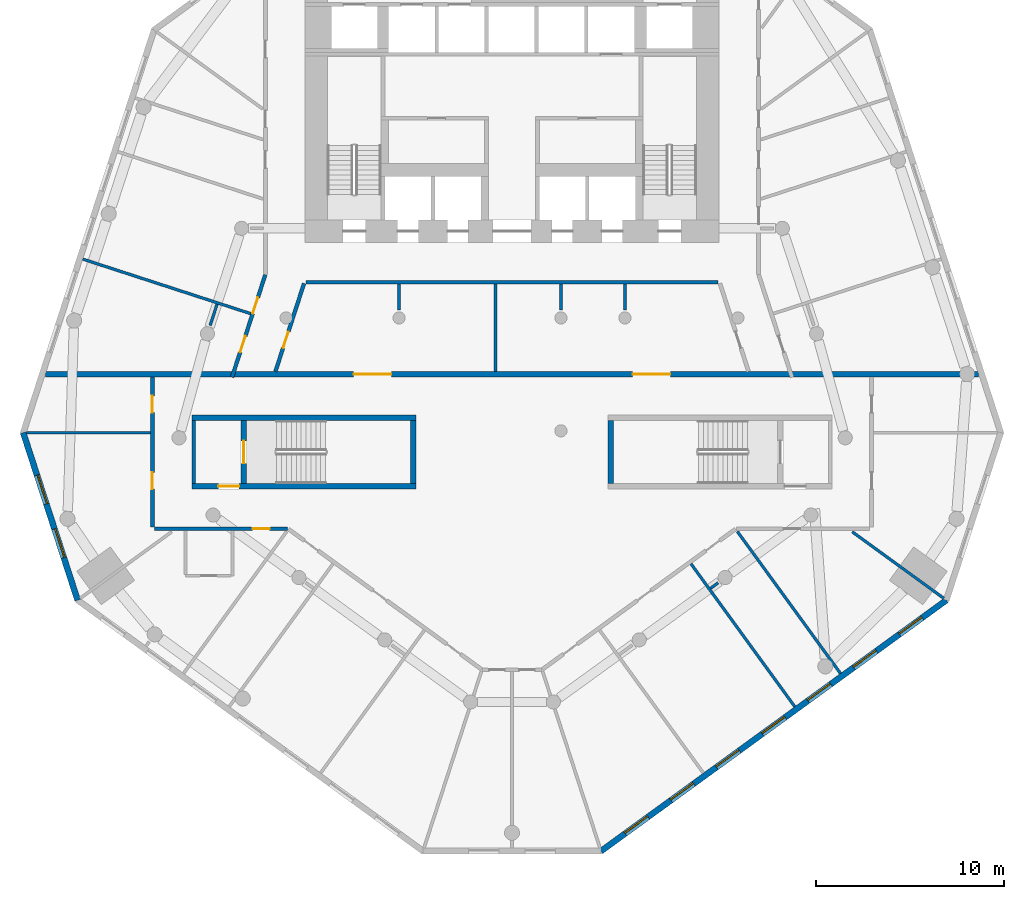
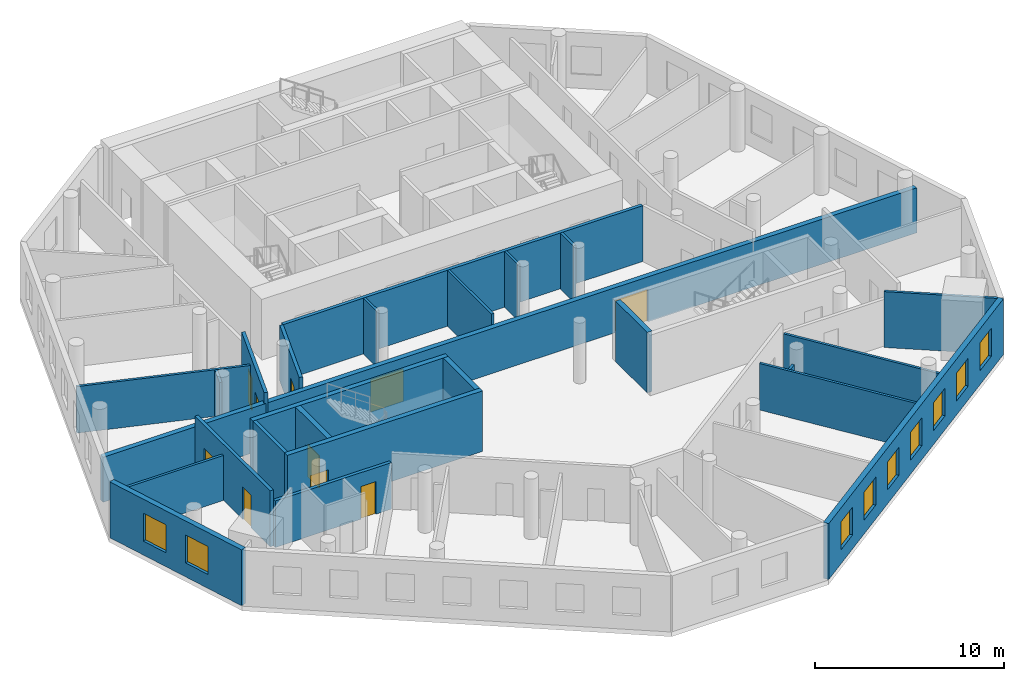
# One storey, part 3 of 9: 25 walls, 10 doors, 9 windows, 19 openings.
"""IFC4 building model written with IfcOpenShell, lengths in metres."""

from ifc_helpers import new_model, si_unit, direction, frame, frame_2d, origin, place, context, subcontext, project, spatial, rectangle, extrude, material, layer, layer_set, type_object, element, fill, save


model = new_model("IFC4")

# Units and contexts
model_context = context("Model", 3, precision=1e-05, world=origin(), true_north=direction((0.0, 1.0)))
body_context = subcontext(model_context, "Body", "Model", "MODEL_VIEW")
ifc_project = project(units=[si_unit("LENGTHUNIT", "METRE"), si_unit("AREAUNIT", "SQUARE_METRE"), si_unit("VOLUMEUNIT", "CUBIC_METRE"), si_unit("PLANEANGLEUNIT", "RADIAN"), si_unit("MASSUNIT", "GRAM", prefix="KILO")], contexts=[model_context])

# Site, building, storey
site_placement = place(None, origin())
site = spatial("IfcSite", under=ifc_project, at=site_placement, CompositionType="ELEMENT")
building_placement = place(site_placement, origin())
building = spatial("IfcBuilding", under=site, at=building_placement, Name="White Candle Pilgrim Tower", CompositionType="ELEMENT")
storey_placement = place(building_placement, frame((0.0, 0.0, 74.10009765625)))
storey = spatial("IfcBuildingStorey", under=building, at=storey_placement, Name="L15", CompositionType="ELEMENT", Elevation=74.10009765625)

# Wall
ifc_material_1 = material(Name="Concrete C70/85", Category="concrete")
ifc_layer_1 = layer(ifc_material_1, 0.199951171875)
ifc_layer_set_1 = layer_set([ifc_layer_1], Name="Core wall 200 mm Concrete C70/85")
wall_type_1 = type_object("IfcWallType", Name="Core wall 200 mm Concrete C70/85", PredefinedType="SHEAR", material=ifc_layer_set_1)
wall_1_placement = place(storey_placement, frame((53.10009765625, 58.199951171875, 0.0), z_axis=(0.0, 0.0, 1.0), x_axis=(0.0, 1.0, 0.0)))
element("IfcWall", 1, at=wall_1_placement, inside=storey, type_object=wall_type_1, Name="WL-L15-C03", PredefinedType="SHEAR", context=body_context, shape_type="SweptSolid", body=[
    extrude(rectangle(XDim=3.35009765625, YDim=0.199951171875, at=frame_2d((1.675048828125, 0.0))), origin(), (0.0, 0.0, 1.0), 3.89990234375),
])

# Wall, openings, doors
ifc_material_2 = material(Name="Gypsum board on steel studs", Category="steel")
ifc_layer_2 = layer(ifc_material_2, 0.199951171875)
ifc_layer_set_2 = layer_set([ifc_layer_2], Name="Corridor wall 200 mm EI 45")
wall_type_2 = type_object("IfcWallType", Name="Corridor wall 200 mm EI 45", PredefinedType="PARTITIONING", material=ifc_layer_set_2)
wall_2_placement = place(storey_placement, frame((55.128173828125, 63.85009765625, 0.0), z_axis=(0.0, 0.0, 1.0), x_axis=(0.309006902183, 0.951059795388, 0.0)))
wall_2 = element("IfcWall", 2, at=wall_2_placement, inside=storey, type_object=wall_type_2, Name="WL-L15-P002", PredefinedType="PARTITIONING", context=body_context, shape_type="SweptSolid", body=[
    extrude(rectangle(XDim=5.7177734375, YDim=0.199951171875, at=frame_2d((2.85888671875, 0.0))), origin(), (0.0, 0.0, 1.0), 3.599853515625),
])
opening_1_placement = place(wall_2_placement, frame((1.3984375, 0.0, 0.0)))
opening_1 = element("IfcOpeningElement", 3, at=opening_1_placement, cuts=wall_2, Name="Opening T04-117", PredefinedType="OPENING", context=body_context, shape_type="SweptSolid", body=[
    extrude(rectangle(XDim=0.89990234375, YDim=2.10009765625, at=frame_2d((0.449951171875, 1.050048828125))), frame((0.0, 0.10986328125, 0.0), z_axis=(0.0, -1.0, 0.0), x_axis=(1.0, 0.0, 0.0)), (0.0, 0.0, 1.0), 0.219970703125),
])
opening_2_placement = place(wall_2_placement, frame((3.552490234375, 0.0, 0.0)))
opening_2 = element("IfcOpeningElement", 4, at=opening_2_placement, cuts=wall_2, Name="Opening T04-118", PredefinedType="OPENING", context=body_context, shape_type="SweptSolid", body=[
    extrude(rectangle(XDim=0.89990234375, YDim=2.10009765625, at=frame_2d((0.449951171875, 1.050048828125))), frame((0.0, 0.10986328125, 0.0), z_axis=(0.0, -1.0, 0.0), x_axis=(1.0, 0.0, 0.0)), (0.0, 0.0, 1.0), 0.219970703125),
])
ifc_material_3 = material(Name="Steel door leaf", Category="steel")
door_type_1 = type_object("IfcDoorType", Name="Fire door 900 x 2100 EI 30", OperationType="NOTDEFINED", PredefinedType="DOOR", material=ifc_material_3)
door_1_placement = place(opening_1_placement, origin())
door_1 = element("IfcDoor", 5, at=door_1_placement, inside=storey, type_object=door_type_1, Name="Door T04-117", OperationType="SINGLE_SWING_LEFT", OverallHeight=2.10009765625, OverallWidth=0.89990234375, PredefinedType="DOOR", context=body_context, shape_type="SweptSolid", body=[
    extrude(rectangle(XDim=0.89990234375, YDim=2.10009765625, at=frame_2d((0.449951171875, 1.050048828125))), frame((0.0, 0.02490234375, 0.0), z_axis=(0.0, -1.0, 0.0), x_axis=(1.0, 0.0, 0.0)), (0.0, 0.0, 1.0), 0.050048828125),
])
fill(opening_1, door_1)
door_2_placement = place(opening_2_placement, origin())
door_2 = element("IfcDoor", 6, at=door_2_placement, inside=storey, type_object=door_type_1, Name="Door T04-118", OperationType="SINGLE_SWING_RIGHT", OverallHeight=2.10009765625, OverallWidth=0.89990234375, PredefinedType="DOOR", context=body_context, shape_type="SweptSolid", body=[
    extrude(rectangle(XDim=0.89990234375, YDim=2.10009765625, at=frame_2d((0.449951171875, 1.050048828125))), frame((0.0, 0.02490234375, 0.0), z_axis=(0.0, -1.0, 0.0), x_axis=(1.0, 0.0, 0.0)), (0.0, 0.0, 1.0), 0.050048828125),
])
fill(opening_2, door_2)

# Wall, opening, door
wall_3_placement = place(storey_placement, frame((58.07080078125, 55.800048828125, 0.0), z_axis=(0.0, 0.0, 1.0), x_axis=(-1.0, 0.0, 0.0)))
wall_3 = element("IfcWall", 7, at=wall_3_placement, inside=storey, type_object=wall_type_2, Name="WL-L15-P011", PredefinedType="PARTITIONING", context=body_context, shape_type="SweptSolid", body=[
    extrude(rectangle(XDim=7.07080078125, YDim=0.199951171875, at=frame_2d((3.535400390625, 0.0))), origin(), (0.0, 0.0, 1.0), 3.0),
])
opening_3_placement = place(wall_3_placement, frame((0.9443359375, 0.0, 0.0)))
opening_3 = element("IfcOpeningElement", 8, at=opening_3_placement, cuts=wall_3, Name="Opening T04-103", PredefinedType="OPENING", context=body_context, shape_type="SweptSolid", body=[
    extrude(rectangle(XDim=0.89990234375, YDim=2.10009765625, at=frame_2d((0.449951171875, 1.050048828125))), frame((0.0, 0.10986328125, 0.0), z_axis=(0.0, -1.0, 0.0), x_axis=(1.0, 0.0, 0.0)), (0.0, 0.0, 1.0), 0.219970703125),
])
door_3_placement = place(opening_3_placement, origin())
door_3 = element("IfcDoor", 9, at=door_3_placement, inside=storey, type_object=door_type_1, Name="Door T04-103", OperationType="SINGLE_SWING_LEFT", OverallHeight=2.10009765625, OverallWidth=0.89990234375, PredefinedType="DOOR", context=body_context, shape_type="SweptSolid", body=[
    extrude(rectangle(XDim=0.89990234375, YDim=2.10009765625, at=frame_2d((0.449951171875, 1.050048828125))), frame((0.0, 0.02490234375, 0.0), z_axis=(0.0, -1.0, 0.0), x_axis=(1.0, 0.0, 0.0)), (0.0, 0.0, 1.0), 0.050048828125),
])
fill(opening_3, door_3)

# Wall, openings, doors
wall_4_placement = place(storey_placement, frame((50.89990234375, 55.89990234375, 0.0), z_axis=(0.0, 0.0, 1.0), x_axis=(0.0, 1.0, 0.0)))
wall_4 = element("IfcWall", 10, at=wall_4_placement, inside=storey, type_object=wall_type_2, Name="WL-L15-P012", PredefinedType="PARTITIONING", context=body_context, shape_type="SweptSolid", body=[
    extrude(rectangle(XDim=7.9501953125, YDim=0.199951171875, at=frame_2d((3.97509765625, 0.0))), origin(), (0.0, 0.0, 1.0), 3.599853515625),
])
opening_4_placement = place(wall_4_placement, frame((2.001708984375, 0.0, 0.0)))
opening_4 = element("IfcOpeningElement", 11, at=opening_4_placement, cuts=wall_4, Name="Opening T04-101", PredefinedType="OPENING", context=body_context, shape_type="SweptSolid", body=[
    extrude(rectangle(XDim=0.89990234375, YDim=2.10009765625, at=frame_2d((0.449951171875, 1.050048828125))), frame((0.0, 0.10986328125, 0.0), z_axis=(0.0, -1.0, 0.0), x_axis=(1.0, 0.0, 0.0)), (0.0, 0.0, 1.0), 0.219970703125),
])
opening_5_placement = place(wall_4_placement, frame((6.064208984375, 0.0, 0.0)))
opening_5 = element("IfcOpeningElement", 12, at=opening_5_placement, cuts=wall_4, Name="Opening T04-116", PredefinedType="OPENING", context=body_context, shape_type="SweptSolid", body=[
    extrude(rectangle(XDim=0.89990234375, YDim=2.10009765625, at=frame_2d((0.449951171875, 1.050048828125))), frame((0.0, 0.10986328125, 0.0), z_axis=(0.0, -1.0, 0.0), x_axis=(1.0, 0.0, 0.0)), (0.0, 0.0, 1.0), 0.219970703125),
])
door_4_placement = place(opening_4_placement, origin())
door_4 = element("IfcDoor", 13, at=door_4_placement, inside=storey, type_object=door_type_1, Name="Door T04-101", OperationType="SINGLE_SWING_LEFT", OverallHeight=2.10009765625, OverallWidth=0.89990234375, PredefinedType="DOOR", context=body_context, shape_type="SweptSolid", body=[
    extrude(rectangle(XDim=0.89990234375, YDim=2.10009765625, at=frame_2d((0.449951171875, 1.050048828125))), frame((0.0, 0.02490234375, 0.0), z_axis=(0.0, -1.0, 0.0), x_axis=(1.0, 0.0, 0.0)), (0.0, 0.0, 1.0), 0.050048828125),
])
fill(opening_4, door_4)
door_5_placement = place(opening_5_placement, origin())
door_5 = element("IfcDoor", 14, at=door_5_placement, inside=storey, type_object=door_type_1, Name="Door T04-116", OperationType="SINGLE_SWING_RIGHT", OverallHeight=2.10009765625, OverallWidth=0.89990234375, PredefinedType="DOOR", context=body_context, shape_type="SweptSolid", body=[
    extrude(rectangle(XDim=0.89990234375, YDim=2.10009765625, at=frame_2d((0.449951171875, 1.050048828125))), frame((0.0, 0.02490234375, 0.0), z_axis=(0.0, -1.0, 0.0), x_axis=(1.0, 0.0, 0.0)), (0.0, 0.0, 1.0), 0.050048828125),
])
fill(opening_5, door_5)

# Wall
wall_5_placement = place(storey_placement, frame((80.9501953125, 68.89990234375, 0.0), z_axis=(0.0, 0.0, 1.0), x_axis=(-1.0, 0.0, 0.0)))
element("IfcWall", 15, at=wall_5_placement, inside=storey, type_object=wall_type_2, Name="WL-L15-P013", PredefinedType="PARTITIONING", context=body_context, shape_type="SweptSolid", body=[
    extrude(rectangle(XDim=21.900390625, YDim=0.199951171875, at=frame_2d((10.9501953125, 0.0))), origin(), (0.0, 0.0, 1.0), 3.599853515625),
])

# Wall, opening, door
wall_6_placement = place(storey_placement, frame((58.95458984375, 68.830810546875, 0.0), z_axis=(0.0, 0.0, 1.0), x_axis=(-0.309031112369, -0.951051928965, 0.0)))
wall_6 = element("IfcWall", 16, at=wall_6_placement, inside=storey, type_object=wall_type_2, Name="WL-L15-P014", PredefinedType="PARTITIONING", context=body_context, shape_type="SweptSolid", body=[
    extrude(rectangle(XDim=4.921875, YDim=0.199951171875, at=frame_2d((2.4609375, 0.0))), origin(), (0.0, 0.0, 1.0), 3.599853515625),
])
opening_6_placement = place(wall_6_placement, frame((2.6982421875, 0.0, 0.0)))
opening_6 = element("IfcOpeningElement", 17, at=opening_6_placement, cuts=wall_6, Name="Opening T04-130", PredefinedType="OPENING", context=body_context, shape_type="SweptSolid", body=[
    extrude(rectangle(XDim=0.89990234375, YDim=2.10009765625, at=frame_2d((0.449951171875, 1.050048828125))), frame((0.0, 0.10986328125, 0.0), z_axis=(0.0, -1.0, 0.0), x_axis=(1.0, 0.0, 0.0)), (0.0, 0.0, 1.0), 0.219970703125),
])
door_6_placement = place(opening_6_placement, origin())
door_6 = element("IfcDoor", 18, at=door_6_placement, inside=storey, type_object=door_type_1, Name="Door T04-130", OperationType="SINGLE_SWING_RIGHT", OverallHeight=2.10009765625, OverallWidth=0.89990234375, PredefinedType="DOOR", context=body_context, shape_type="SweptSolid", body=[
    extrude(rectangle(XDim=0.89990234375, YDim=2.10009765625, at=frame_2d((0.449951171875, 1.050048828125))), frame((0.0, 0.02490234375, 0.0), z_axis=(0.0, -1.0, 0.0), x_axis=(1.0, 0.0, 0.0)), (0.0, 0.0, 1.0), 0.050048828125),
])
fill(opening_6, door_6)

# Wall, openings, windows
ifc_material_4 = material(Name="Precast concrete C40/50", Category="concrete")
ifc_layer_3 = layer(ifc_material_4, 0.320068359375)
ifc_layer_set_3 = layer_set([ifc_layer_3], Name="Facade wall EW1 precast concrete C40/50 pier wall with timber-lined reveals")
wall_type_3 = type_object("IfcWallType", Name="Facade wall EW1 precast concrete C40/50 pier wall with timber-lined reveals", PredefinedType="SOLIDWALL", material=ifc_layer_set_3)
wall_7_placement = place(storey_placement, frame((44.03466796875, 60.903564453125, 0.0), z_axis=(0.0, 0.0, 1.0), x_axis=(0.309024710052, -0.951054009285, 0.0)))
wall_7 = element("IfcWall", 19, at=wall_7_placement, inside=storey, type_object=wall_type_3, Name="Facade wall L15 W chamfer", PredefinedType="SOLIDWALL", context=body_context, shape_type="SweptSolid", body=[
    extrude(rectangle(XDim=9.3564453125, YDim=0.320068359375, at=frame_2d((4.67822265625, 0.0))), origin(), (0.0, 0.0, 1.0), 3.599853515625),
])
opening_7_placement = place(wall_7_placement, frame((2.37841796875, 0.0, 0.89990234375)))
opening_7 = element("IfcOpeningElement", 20, at=opening_7_placement, cuts=wall_7, Name="Opening W2", PredefinedType="OPENING", context=body_context, shape_type="SweptSolid", body=[
    extrude(rectangle(XDim=1.60009765625, YDim=1.800048828125, at=frame_2d((0.800048828125, 0.89990234375))), frame((0.0, 0.169921875, 0.0), z_axis=(0.0, -1.0, 0.0), x_axis=(1.0, 0.0, 0.0)), (0.0, 0.0, 1.0), 0.340087890625),
])
opening_8_placement = place(wall_7_placement, frame((5.37841796875, 0.0, 0.89990234375)))
opening_8 = element("IfcOpeningElement", 21, at=opening_8_placement, cuts=wall_7, Name="Opening W2", PredefinedType="OPENING", context=body_context, shape_type="SweptSolid", body=[
    extrude(rectangle(XDim=1.60009765625, YDim=1.800048828125, at=frame_2d((0.800048828125, 0.89990234375))), frame((0.0, 0.169921875, 0.0), z_axis=(0.0, -1.0, 0.0), x_axis=(1.0, 0.0, 0.0)), (0.0, 0.0, 1.0), 0.340087890625),
])
ifc_material_5 = material(Name="Timber frame with triple glazing", Category="wood")
window_type_1 = type_object("IfcWindowType", Name="Window W2 1600x1800 timber frame triple glazing", PartitioningType="SINGLE_PANEL", PredefinedType="WINDOW", material=ifc_material_5)
window_1_placement = place(opening_7_placement, origin())
window_1 = element("IfcWindow", 22, at=window_1_placement, inside=storey, type_object=window_type_1, Name="Window W2 L15 W chamfer 1", OverallHeight=1.800048828125, OverallWidth=1.60009765625, PartitioningType="SINGLE_PANEL", PredefinedType="WINDOW", context=body_context, shape_type="SweptSolid", body=[
    extrude(rectangle(XDim=1.60009765625, YDim=1.800048828125, at=frame_2d((0.800048828125, 0.89990234375))), frame((0.0, 0.070068359375, 0.0), z_axis=(0.0, -1.0, 0.0), x_axis=(1.0, 0.0, 0.0)), (0.0, 0.0, 1.0), 0.06005859375),
])
fill(opening_7, window_1)
window_2_placement = place(opening_8_placement, origin())
window_2 = element("IfcWindow", 23, at=window_2_placement, inside=storey, type_object=window_type_1, Name="Window W2 L15 W chamfer 2", OverallHeight=1.800048828125, OverallWidth=1.60009765625, PartitioningType="SINGLE_PANEL", PredefinedType="WINDOW", context=body_context, shape_type="SweptSolid", body=[
    extrude(rectangle(XDim=1.60009765625, YDim=1.800048828125, at=frame_2d((0.800048828125, 0.89990234375))), frame((0.0, 0.070068359375, 0.0), z_axis=(0.0, -1.0, 0.0), x_axis=(1.0, 0.0, 0.0)), (0.0, 0.0, 1.0), 0.06005859375),
])
fill(opening_8, window_2)

wall_8_placement = place(storey_placement, frame((74.728515625, 38.67626953125, 0.0), z_axis=(0.0, 0.0, 1.0), x_axis=(0.809014870626, 0.58778817537, 0.0)))
wall_8 = element("IfcWall", 24, at=wall_8_placement, inside=storey, type_object=wall_type_3, Name="Facade wall L15 SE", PredefinedType="SOLIDWALL", context=body_context, shape_type="SweptSolid", body=[
    extrude(rectangle(XDim=22.67626953125, YDim=0.320068359375, at=frame_2d((11.338134765625, 0.0))), origin(), (0.0, 0.0, 1.0), 3.599853515625),
])
opening_9_placement = place(wall_8_placement, frame((1.588134765625, 0.0, 0.89990234375)))
opening_9 = element("IfcOpeningElement", 25, at=opening_9_placement, cuts=wall_8, Name="Opening W1", PredefinedType="OPENING", context=body_context, shape_type="SweptSolid", body=[
    extrude(rectangle(XDim=1.5, YDim=1.800048828125, at=frame_2d((0.75, 0.89990234375))), frame((0.0, 0.169921875, 0.0), z_axis=(0.0, -1.0, 0.0), x_axis=(1.0, 0.0, 0.0)), (0.0, 0.0, 1.0), 0.340087890625),
])
opening_10_placement = place(wall_8_placement, frame((4.588134765625, 0.0, 0.89990234375)))
opening_10 = element("IfcOpeningElement", 26, at=opening_10_placement, cuts=wall_8, Name="Opening W1", PredefinedType="OPENING", context=body_context, shape_type="SweptSolid", body=[
    extrude(rectangle(XDim=1.5, YDim=1.800048828125, at=frame_2d((0.75, 0.89990234375))), frame((0.0, 0.169921875, 0.0), z_axis=(0.0, -1.0, 0.0), x_axis=(1.0, 0.0, 0.0)), (0.0, 0.0, 1.0), 0.340087890625),
])
opening_11_placement = place(wall_8_placement, frame((7.588134765625, 0.0, 0.89990234375)))
opening_11 = element("IfcOpeningElement", 27, at=opening_11_placement, cuts=wall_8, Name="Opening W1", PredefinedType="OPENING", context=body_context, shape_type="SweptSolid", body=[
    extrude(rectangle(XDim=1.5, YDim=1.800048828125, at=frame_2d((0.75, 0.89990234375))), frame((0.0, 0.169921875, 0.0), z_axis=(0.0, -1.0, 0.0), x_axis=(1.0, 0.0, 0.0)), (0.0, 0.0, 1.0), 0.340087890625),
])
opening_12_placement = place(wall_8_placement, frame((10.588134765625, 0.0, 0.89990234375)))
opening_12 = element("IfcOpeningElement", 28, at=opening_12_placement, cuts=wall_8, Name="Opening W1", PredefinedType="OPENING", context=body_context, shape_type="SweptSolid", body=[
    extrude(rectangle(XDim=1.5, YDim=1.800048828125, at=frame_2d((0.75, 0.89990234375))), frame((0.0, 0.169921875, 0.0), z_axis=(0.0, -1.0, 0.0), x_axis=(1.0, 0.0, 0.0)), (0.0, 0.0, 1.0), 0.340087890625),
])
opening_13_placement = place(wall_8_placement, frame((13.588134765625, 0.0, 0.89990234375)))
opening_13 = element("IfcOpeningElement", 29, at=opening_13_placement, cuts=wall_8, Name="Opening W1", PredefinedType="OPENING", context=body_context, shape_type="SweptSolid", body=[
    extrude(rectangle(XDim=1.5, YDim=1.800048828125, at=frame_2d((0.75, 0.89990234375))), frame((0.0, 0.169921875, 0.0), z_axis=(0.0, -1.0, 0.0), x_axis=(1.0, 0.0, 0.0)), (0.0, 0.0, 1.0), 0.340087890625),
])
opening_14_placement = place(wall_8_placement, frame((16.588134765625, 0.0, 0.89990234375)))
opening_14 = element("IfcOpeningElement", 30, at=opening_14_placement, cuts=wall_8, Name="Opening W1", PredefinedType="OPENING", context=body_context, shape_type="SweptSolid", body=[
    extrude(rectangle(XDim=1.5, YDim=1.800048828125, at=frame_2d((0.75, 0.89990234375))), frame((0.0, 0.169921875, 0.0), z_axis=(0.0, -1.0, 0.0), x_axis=(1.0, 0.0, 0.0)), (0.0, 0.0, 1.0), 0.340087890625),
])
opening_15_placement = place(wall_8_placement, frame((19.588134765625, 0.0, 0.89990234375)))
opening_15 = element("IfcOpeningElement", 31, at=opening_15_placement, cuts=wall_8, Name="Opening W1", PredefinedType="OPENING", context=body_context, shape_type="SweptSolid", body=[
    extrude(rectangle(XDim=1.5, YDim=1.800048828125, at=frame_2d((0.75, 0.89990234375))), frame((0.0, 0.169921875, 0.0), z_axis=(0.0, -1.0, 0.0), x_axis=(1.0, 0.0, 0.0)), (0.0, 0.0, 1.0), 0.340087890625),
])
window_type_2 = type_object("IfcWindowType", Name="Window W1 1500x1800 timber frame triple glazing", PartitioningType="SINGLE_PANEL", PredefinedType="WINDOW", material=ifc_material_5)
window_3_placement = place(opening_9_placement, origin())
window_3 = element("IfcWindow", 32, at=window_3_placement, inside=storey, type_object=window_type_2, Name="Window W1 L15 SE 1", OverallHeight=1.800048828125, OverallWidth=1.5, PartitioningType="SINGLE_PANEL", PredefinedType="WINDOW", context=body_context, shape_type="SweptSolid", body=[
    extrude(rectangle(XDim=1.5, YDim=1.800048828125, at=frame_2d((0.75, 0.89990234375))), frame((0.0, 0.070068359375, 0.0), z_axis=(0.0, -1.0, 0.0), x_axis=(1.0, 0.0, 0.0)), (0.0, 0.0, 1.0), 0.06005859375),
])
fill(opening_9, window_3)
window_4_placement = place(opening_10_placement, origin())
window_4 = element("IfcWindow", 33, at=window_4_placement, inside=storey, type_object=window_type_2, Name="Window W1 L15 SE 2", OverallHeight=1.800048828125, OverallWidth=1.5, PartitioningType="SINGLE_PANEL", PredefinedType="WINDOW", context=body_context, shape_type="SweptSolid", body=[
    extrude(rectangle(XDim=1.5, YDim=1.800048828125, at=frame_2d((0.75, 0.89990234375))), frame((0.0, 0.070068359375, 0.0), z_axis=(0.0, -1.0, 0.0), x_axis=(1.0, 0.0, 0.0)), (0.0, 0.0, 1.0), 0.06005859375),
])
fill(opening_10, window_4)
window_5_placement = place(opening_11_placement, origin())
window_5 = element("IfcWindow", 34, at=window_5_placement, inside=storey, type_object=window_type_2, Name="Window W1 L15 SE 3", OverallHeight=1.800048828125, OverallWidth=1.5, PartitioningType="SINGLE_PANEL", PredefinedType="WINDOW", context=body_context, shape_type="SweptSolid", body=[
    extrude(rectangle(XDim=1.5, YDim=1.800048828125, at=frame_2d((0.75, 0.89990234375))), frame((0.0, 0.070068359375, 0.0), z_axis=(0.0, -1.0, 0.0), x_axis=(1.0, 0.0, 0.0)), (0.0, 0.0, 1.0), 0.06005859375),
])
fill(opening_11, window_5)
window_6_placement = place(opening_12_placement, origin())
window_6 = element("IfcWindow", 35, at=window_6_placement, inside=storey, type_object=window_type_2, Name="Window W1 L15 SE 4", OverallHeight=1.800048828125, OverallWidth=1.5, PartitioningType="SINGLE_PANEL", PredefinedType="WINDOW", context=body_context, shape_type="SweptSolid", body=[
    extrude(rectangle(XDim=1.5, YDim=1.800048828125, at=frame_2d((0.75, 0.89990234375))), frame((0.0, 0.070068359375, 0.0), z_axis=(0.0, -1.0, 0.0), x_axis=(1.0, 0.0, 0.0)), (0.0, 0.0, 1.0), 0.06005859375),
])
fill(opening_12, window_6)
window_7_placement = place(opening_13_placement, origin())
window_7 = element("IfcWindow", 36, at=window_7_placement, inside=storey, type_object=window_type_2, Name="Window W1 L15 SE 5", OverallHeight=1.800048828125, OverallWidth=1.5, PartitioningType="SINGLE_PANEL", PredefinedType="WINDOW", context=body_context, shape_type="SweptSolid", body=[
    extrude(rectangle(XDim=1.5, YDim=1.800048828125, at=frame_2d((0.75, 0.89990234375))), frame((0.0, 0.070068359375, 0.0), z_axis=(0.0, -1.0, 0.0), x_axis=(1.0, 0.0, 0.0)), (0.0, 0.0, 1.0), 0.06005859375),
])
fill(opening_13, window_7)
window_8_placement = place(opening_14_placement, origin())
window_8 = element("IfcWindow", 37, at=window_8_placement, inside=storey, type_object=window_type_2, Name="Window W1 L15 SE 6", OverallHeight=1.800048828125, OverallWidth=1.5, PartitioningType="SINGLE_PANEL", PredefinedType="WINDOW", context=body_context, shape_type="SweptSolid", body=[
    extrude(rectangle(XDim=1.5, YDim=1.800048828125, at=frame_2d((0.75, 0.89990234375))), frame((0.0, 0.070068359375, 0.0), z_axis=(0.0, -1.0, 0.0), x_axis=(1.0, 0.0, 0.0)), (0.0, 0.0, 1.0), 0.06005859375),
])
fill(opening_14, window_8)
window_9_placement = place(opening_15_placement, origin())
window_9 = element("IfcWindow", 38, at=window_9_placement, inside=storey, type_object=window_type_2, Name="Window W1 L15 SE 7", OverallHeight=1.800048828125, OverallWidth=1.5, PartitioningType="SINGLE_PANEL", PredefinedType="WINDOW", context=body_context, shape_type="SweptSolid", body=[
    extrude(rectangle(XDim=1.5, YDim=1.800048828125, at=frame_2d((0.75, 0.89990234375))), frame((0.0, 0.070068359375, 0.0), z_axis=(0.0, -1.0, 0.0), x_axis=(1.0, 0.0, 0.0)), (0.0, 0.0, 1.0), 0.06005859375),
])
fill(opening_15, window_9)

# Wall, openings, doors
ifc_material_6 = material(Name="Aerated concrete block", Category="concrete")
ifc_layer_4 = layer(ifc_material_6, 0.300048828125)
ifc_layer_set_4 = layer_set([ifc_layer_4], Name="Fire wall 300 mm REI 240")
wall_type_4 = type_object("IfcWallType", Name="Fire wall 300 mm REI 240", PredefinedType="PARTITIONING", material=ifc_layer_set_4)
wall_9_placement = place(storey_placement, frame((45.208984375, 64.0, 0.0), z_axis=(0.0, 0.0, 1.0), x_axis=(1.0, 0.0, 0.0)))
wall_9 = element("IfcWall", 39, at=wall_9_placement, inside=storey, type_object=wall_type_4, Name="WL-L15-P001", PredefinedType="PARTITIONING", context=body_context, shape_type="SweptSolid", body=[
    extrude(rectangle(XDim=49.58203125, YDim=0.300048828125, at=frame_2d((24.791015625, 0.0))), origin(), (0.0, 0.0, 1.0), 2.89990234375),
])
opening_16_placement = place(wall_9_placement, frame((16.37939453125, 0.0, 0.0)))
opening_16 = element("IfcOpeningElement", 40, at=opening_16_placement, cuts=wall_9, Name="Opening T04-114", PredefinedType="OPENING", context=body_context, shape_type="SweptSolid", body=[
    extrude(rectangle(XDim=2.0, YDim=2.10009765625, at=frame_2d((1.0, 1.050048828125))), frame((0.0, 0.159912109375, 0.0), z_axis=(0.0, -1.0, 0.0), x_axis=(1.0, 0.0, 0.0)), (0.0, 0.0, 1.0), 0.320068359375),
])
opening_17_placement = place(wall_9_placement, frame((31.20263671875, 0.0, 0.0)))
opening_17 = element("IfcOpeningElement", 41, at=opening_17_placement, cuts=wall_9, Name="Opening T04-115", PredefinedType="OPENING", context=body_context, shape_type="SweptSolid", body=[
    extrude(rectangle(XDim=2.0, YDim=2.10009765625, at=frame_2d((1.0, 1.050048828125))), frame((0.0, 0.159912109375, 0.0), z_axis=(0.0, -1.0, 0.0), x_axis=(1.0, 0.0, 0.0)), (0.0, 0.0, 1.0), 0.320068359375),
])
door_type_2 = type_object("IfcDoorType", Name="Fire door 2000 x 2100 EI 60", OperationType="NOTDEFINED", PredefinedType="DOOR", material=ifc_material_3)
door_7_placement = place(opening_16_placement, origin())
door_7 = element("IfcDoor", 42, at=door_7_placement, inside=storey, type_object=door_type_2, Name="Door T04-114", OperationType="DOUBLE_DOOR_SINGLE_SWING", OverallHeight=2.10009765625, OverallWidth=2.0, PredefinedType="DOOR", context=body_context, shape_type="SweptSolid", body=[
    extrude(rectangle(XDim=2.0, YDim=2.10009765625, at=frame_2d((1.0, 1.050048828125))), frame((0.0, 0.02490234375, 0.0), z_axis=(0.0, -1.0, 0.0), x_axis=(1.0, 0.0, 0.0)), (0.0, 0.0, 1.0), 0.050048828125),
])
fill(opening_16, door_7)
door_8_placement = place(opening_17_placement, origin())
door_8 = element("IfcDoor", 43, at=door_8_placement, inside=storey, type_object=door_type_2, Name="Door T04-115", OperationType="DOUBLE_DOOR_SINGLE_SWING", OverallHeight=2.10009765625, OverallWidth=2.0, PredefinedType="DOOR", context=body_context, shape_type="SweptSolid", body=[
    extrude(rectangle(XDim=2.0, YDim=2.10009765625, at=frame_2d((1.0, 1.050048828125))), frame((0.0, 0.02490234375, 0.0), z_axis=(0.0, -1.0, 0.0), x_axis=(1.0, 0.0, 0.0)), (0.0, 0.0, 1.0), 0.050048828125),
])
fill(opening_17, door_8)

# Walls
ifc_layer_5 = layer(ifc_material_2, 0.14990234375)
ifc_layer_set_5 = layer_set([ifc_layer_5], Name="Partition 150 mm EI 60")
wall_type_5 = type_object("IfcWallType", Name="Partition 150 mm EI 60", PredefinedType="PARTITIONING", material=ifc_layer_set_5)
wall_10_placement = place(storey_placement, frame((44.202880859375, 60.903564453125, 0.0), z_axis=(0.0, 0.0, 1.0), x_axis=(1.0, 0.0, 0.0)))
element("IfcWall", 44, at=wall_10_placement, inside=storey, type_object=wall_type_5, Name="WL-L15-P017", PredefinedType="PARTITIONING", context=body_context, shape_type="SweptSolid", body=[
    extrude(rectangle(XDim=6.59716796875, YDim=0.14990234375, at=frame_2d((3.298583984375, 0.0))), origin(), (0.0, 0.0, 1.0), 2.89990234375),
])
wall_11_placement = place(storey_placement, frame((92.93798828125, 52.10400390625, 0.0), z_axis=(0.0, 0.0, 1.0), x_axis=(-0.809025596287, 0.587773412594, 0.0)))
element("IfcWall", 45, at=wall_11_placement, inside=storey, type_object=wall_type_5, Name="WL-L15-P021", PredefinedType="PARTITIONING", context=body_context, shape_type="SweptSolid", body=[
    extrude(rectangle(XDim=6.014892578125, YDim=0.14990234375, at=frame_2d((3.00732421875, 0.0))), origin(), (0.0, 0.0, 1.0), 3.599853515625),
])
for number, where, z_axis, x_axis, name in (
    (46, (47.198974609375, 70.124267578125, 0.0), (0.0, 0.0, 1.0), (0.951060843481, -0.309003676349, 0.0), "WL-L15-P026"),
    (47, (85.020751953125, 46.351806640625, 0.0), (0.0, 0.0, 1.0), (-0.587795561305, 0.809009504339, 0.0), "WL-L15-P035"),
):
    element("IfcWall", number, at=place(storey_placement, frame(where, z_axis=z_axis, x_axis=x_axis)), inside=storey, type_object=wall_type_5, Name=name, PredefinedType="PARTITIONING", context=body_context, shape_type="SweptSolid", body=[
        extrude(rectangle(XDim=9.3798828125, YDim=0.14990234375, at=frame_2d((4.68994140625, 0.0))), origin(), (0.0, 0.0, 1.0), 3.0),
    ])
wall_12_placement = place(storey_placement, frame((87.44775390625, 48.114990234375, 0.0), z_axis=(0.0, 0.0, 1.0), x_axis=(-0.587777613272, 0.809022544393, 0.0)))
element("IfcWall", 48, at=wall_12_placement, inside=storey, type_object=wall_type_5, Name="WL-L15-P036", PredefinedType="PARTITIONING", context=body_context, shape_type="SweptSolid", body=[
    extrude(rectangle(XDim=9.321044921875, YDim=0.14990234375, at=frame_2d((4.66064453125, 0.0))), origin(), (0.0, 0.0, 1.0), 3.0),
])
wall_13_placement = place(storey_placement, frame((69.12158203125, 64.14990234375, 0.0), z_axis=(0.0, 0.0, 1.0), x_axis=(0.0, 1.0, 0.0)))
element("IfcWall", 49, at=wall_13_placement, inside=storey, type_object=wall_type_5, Name="WL-L15-P041", PredefinedType="PARTITIONING", context=body_context, shape_type="SweptSolid", body=[
    extrude(rectangle(XDim=4.650146484375, YDim=0.14990234375, at=frame_2d((2.3251953125, 0.0))), origin(), (0.0, 0.0, 1.0), 3.599853515625),
])
wall_14_placement = place(storey_placement, frame((80.949462890625, 52.92919921875, 0.0), z_axis=(0.0, 0.0, 1.0), x_axis=(-0.809096851656, -0.587675322471, 0.0)))
element("IfcWall", 50, at=wall_14_placement, inside=storey, type_object=wall_type_5, Name="WL-L15-P046", PredefinedType="PARTITIONING", context=body_context, shape_type="SweptSolid", body=[
    extrude(rectangle(XDim=0.497314453125, YDim=0.14990234375, at=frame_2d((0.24853515625, 0.0))), origin(), (0.0, 0.0, 1.0), 3.0),
])
wall_15_placement = place(storey_placement, frame((53.967041015625, 66.60107421875, 0.0), z_axis=(0.0, 0.0, 1.0), x_axis=(0.308983531668, 0.951067388337, 0.0)))
element("IfcWall", 51, at=wall_15_placement, inside=storey, type_object=wall_type_5, Name="WL-L15-P050", PredefinedType="PARTITIONING", context=body_context, shape_type="SweptSolid", body=[
    extrude(rectangle(XDim=1.184326171875, YDim=0.14990234375, at=frame_2d((0.59228515625, 0.0))), origin(), (0.0, 0.0, 1.0), 3.0),
])
for number, where, z_axis, x_axis, name in (
    (52, (63.997802734375, 67.4150390625, 0.0), (0.0, 0.0, 1.0), (0.0, 1.0, 0.0), "WL-L15-P051"),
    (53, (72.59765625, 67.4150390625, 0.0), (0.0, 0.0, 1.0), (0.0, 1.0, 0.0), "WL-L15-P052"),
    (54, (75.997802734375, 67.4150390625, 0.0), (0.0, 0.0, 1.0), (0.0, 1.0, 0.0), "WL-L15-P053"),
):
    element("IfcWall", number, at=place(storey_placement, frame(where, z_axis=z_axis, x_axis=x_axis)), inside=storey, type_object=wall_type_5, Name=name, PredefinedType="PARTITIONING", context=body_context, shape_type="SweptSolid", body=[
        extrude(rectangle(XDim=1.385009765625, YDim=0.14990234375, at=frame_2d((0.6923828125, 0.0))), origin(), (0.0, 0.0, 1.0), 3.599853515625),
    ])

# Wall, opening, door
ifc_layer_6 = layer(ifc_material_1, 0.300048828125)
ifc_layer_set_6 = layer_set([ifc_layer_6], Name="Stair shaft wall 300 mm Concrete C70/85")
wall_type_6 = type_object("IfcWallType", Name="Stair shaft wall 300 mm Concrete C70/85", PredefinedType="SHEAR", material=ifc_layer_set_6)
wall_16_placement = place(storey_placement, frame((53.0, 58.050048828125, 0.0), z_axis=(0.0, 0.0, 1.0), x_axis=(1.0, 0.0, 0.0)))
wall_16 = element("IfcWall", 55, at=wall_16_placement, inside=storey, type_object=wall_type_6, Name="WL-L15-C01", PredefinedType="SHEAR", context=body_context, shape_type="SweptSolid", body=[
    extrude(rectangle(XDim=11.89990234375, YDim=0.300048828125, at=frame_2d((5.949951171875, 0.0))), origin(), (0.0, 0.0, 1.0), 3.89990234375),
])
opening_18_placement = place(wall_16_placement, frame((1.39990234375, 0.0, 0.0)))
opening_18 = element("IfcOpeningElement", 56, at=opening_18_placement, cuts=wall_16, Name="Opening T04-007", PredefinedType="OPENING", context=body_context, shape_type="SweptSolid", body=[
    extrude(rectangle(XDim=1.10009765625, YDim=2.10009765625, at=frame_2d((0.550048828125, 1.050048828125))), frame((0.0, 0.159912109375, 0.0), z_axis=(0.0, -1.0, 0.0), x_axis=(1.0, 0.0, 0.0)), (0.0, 0.0, 1.0), 0.320068359375),
])
door_type_3 = type_object("IfcDoorType", Name="Fire door 1100 x 2100 EI 60", OperationType="NOTDEFINED", PredefinedType="DOOR", material=ifc_material_3)
door_9_placement = place(opening_18_placement, origin())
door_9 = element("IfcDoor", 57, at=door_9_placement, inside=storey, type_object=door_type_3, Name="Door T04-007", OperationType="SINGLE_SWING_LEFT", OverallHeight=2.10009765625, OverallWidth=1.10009765625, PredefinedType="DOOR", context=body_context, shape_type="SweptSolid", body=[
    extrude(rectangle(XDim=1.10009765625, YDim=2.10009765625, at=frame_2d((0.550048828125, 1.050048828125))), frame((0.0, 0.02490234375, 0.0), z_axis=(0.0, -1.0, 0.0), x_axis=(1.0, 0.0, 0.0)), (0.0, 0.0, 1.0), 0.050048828125),
])
fill(opening_18, door_9)

wall_17_placement = place(storey_placement, frame((55.75, 58.199951171875, 0.0), z_axis=(0.0, 0.0, 1.0), x_axis=(0.0, 1.0, 0.0)))
wall_17 = element("IfcWall", 58, at=wall_17_placement, inside=storey, type_object=wall_type_6, Name="WL-L15-C04", PredefinedType="SHEAR", context=body_context, shape_type="SweptSolid", body=[
    extrude(rectangle(XDim=3.35009765625, YDim=0.300048828125, at=frame_2d((1.675048828125, 0.0))), origin(), (0.0, 0.0, 1.0), 3.89990234375),
])
opening_19_placement = place(wall_17_placement, frame((1.074951171875, 0.0, 0.0)))
opening_19 = element("IfcOpeningElement", 59, at=opening_19_placement, cuts=wall_17, Name="Opening T04-008", PredefinedType="OPENING", context=body_context, shape_type="SweptSolid", body=[
    extrude(rectangle(XDim=1.199951171875, YDim=2.10009765625, at=frame_2d((0.60009765625, 1.050048828125))), frame((0.0, 0.159912109375, 0.0), z_axis=(0.0, -1.0, 0.0), x_axis=(1.0, 0.0, 0.0)), (0.0, 0.0, 1.0), 0.320068359375),
])
door_type_4 = type_object("IfcDoorType", Name="Fire door 1200 x 2100 EI 60", OperationType="NOTDEFINED", PredefinedType="DOOR", material=ifc_material_3)
door_10_placement = place(opening_19_placement, frame((1.199951171875, 0.0, 0.0), z_axis=(0.0, 0.0, 1.0), x_axis=(-1.0, 0.0, 0.0)))
door_10 = element("IfcDoor", 60, at=door_10_placement, inside=storey, type_object=door_type_4, Name="Door T04-008", OperationType="SINGLE_SWING_LEFT", OverallHeight=2.10009765625, OverallWidth=1.199951171875, PredefinedType="DOOR", context=body_context, shape_type="SweptSolid", body=[
    extrude(rectangle(XDim=1.199951171875, YDim=2.10009765625, at=frame_2d((0.60009765625, 1.050048828125))), frame((0.0, 0.02490234375, 0.0), z_axis=(0.0, -1.0, 0.0), x_axis=(1.0, 0.0, 0.0)), (0.0, 0.0, 1.0), 0.050048828125),
])
fill(opening_19, door_10)

# Walls
for number, where, z_axis, x_axis, name in (
    (61, (64.75, 58.199951171875, 0.0), (0.0, 0.0, 1.0), (0.0, 1.0, 0.0), "WL-L15-C05"),
    (62, (75.25, 58.199951171875, 0.0), (0.0, 0.0, 1.0), (0.0, 1.0, 0.0), "WL-L15-C06"),
):
    element("IfcWall", number, at=place(storey_placement, frame(where, z_axis=z_axis, x_axis=x_axis)), inside=storey, type_object=wall_type_6, Name=name, PredefinedType="SHEAR", context=body_context, shape_type="SweptSolid", body=[
        extrude(rectangle(XDim=3.35009765625, YDim=0.300048828125, at=frame_2d((1.675048828125, 0.0))), origin(), (0.0, 0.0, 1.0), 3.89990234375),
    ])
wall_18_placement = place(storey_placement, frame((53.0, 61.699951171875, 0.0), z_axis=(0.0, 0.0, 1.0), x_axis=(1.0, 0.0, 0.0)))
element("IfcWall", 63, at=wall_18_placement, inside=storey, type_object=wall_type_6, Name="WL-L15-C09", PredefinedType="SHEAR", context=body_context, shape_type="SweptSolid", body=[
    extrude(rectangle(XDim=11.89990234375, YDim=0.300048828125, at=frame_2d((5.949951171875, 0.0))), origin(), (0.0, 0.0, 1.0), 3.89990234375),
])

save(model, "model.ifc")
